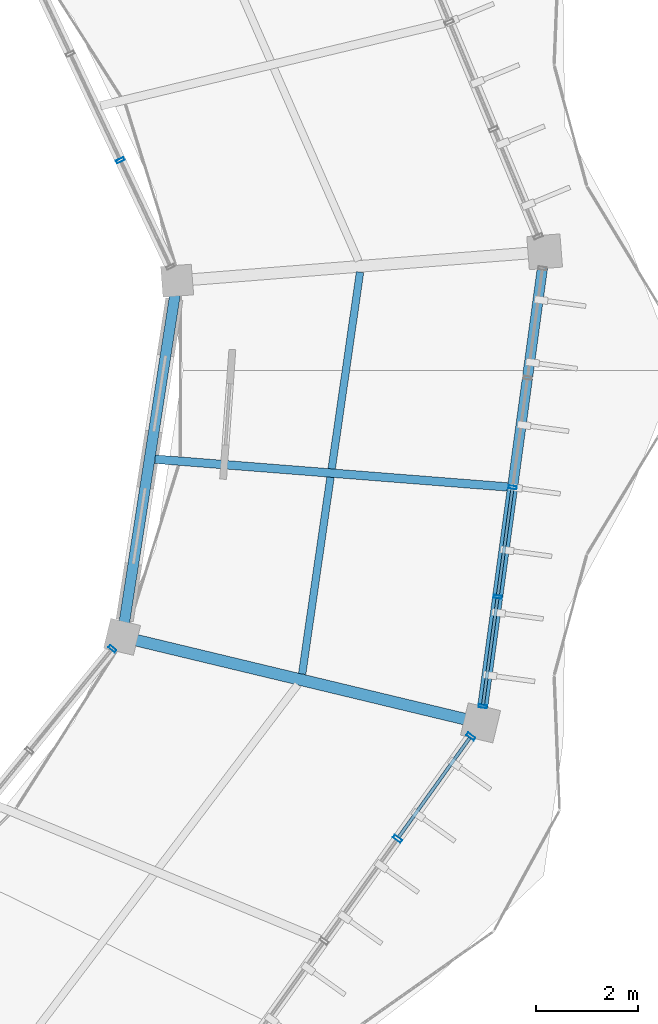
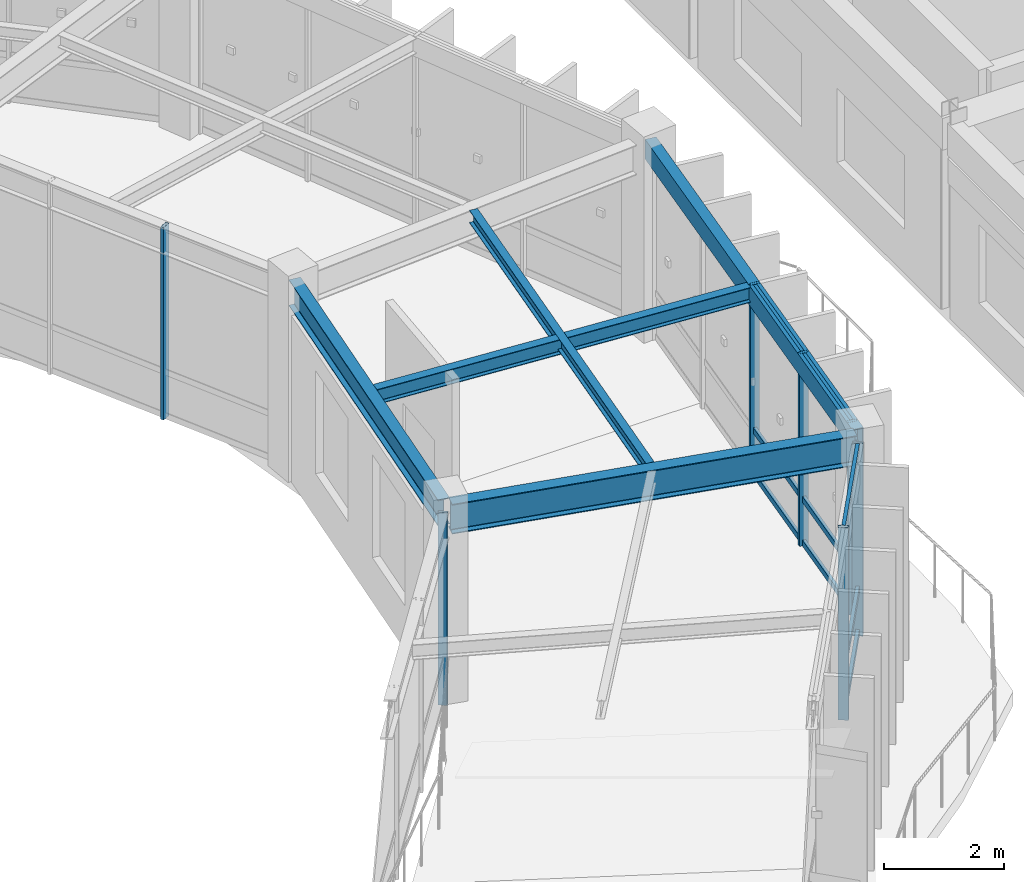
# One storey, part 76 of 114: 16 members, 5 beams, 4 elements without a shape of their own.
"""IFC4 building model written with IfcOpenShell, lengths in metres."""

from ifc_helpers import new_model, si_unit, direction, frame, origin, origin_2d, place, context, subcontext, project, spatial, hollow_rectangle, i_section, extrude, material, material_profile, profile_set, type_object, element, aggregate, save


model = new_model("IFC4")

# Units and contexts
model_context = context("Model", 3, precision=1e-05, world=origin(), true_north=direction((0.0, 1.0)))
body_context = subcontext(model_context, "Body", "Model", "MODEL_VIEW")
ifc_project = project(units=[si_unit("LENGTHUNIT", "METRE"), si_unit("AREAUNIT", "SQUARE_METRE"), si_unit("VOLUMEUNIT", "CUBIC_METRE"), si_unit("PLANEANGLEUNIT", "RADIAN"), si_unit("MASSUNIT", "GRAM", prefix="KILO"), si_unit("THERMODYNAMICTEMPERATUREUNIT", "KELVIN"), si_unit("POWERUNIT", "WATT")], contexts=[model_context])

# Site, building, storey
site_placement = place(None, origin())
site = spatial("IfcSite", under=ifc_project, at=site_placement, CompositionType="ELEMENT")
building_placement = place(site_placement, origin())
building = spatial("IfcBuilding", under=site, at=building_placement, Name="Darbajah Civic Hall", CompositionType="ELEMENT")
storey_placement = place(building_placement, frame((0.0, 0.0, 13.800048828125)))
storey = spatial("IfcBuildingStorey", under=building, at=storey_placement, Name="L03", CompositionType="ELEMENT", Elevation=13.800048828125)

# Curtain wall, member
ifc_material_1 = material(Name="Anodised Bronze Aluminium and Low-E Glazing", Category="aluminium")
curtain_wall_type_1 = type_object("IfcCurtainWallType", Name="Unitised Curtain Wall CW-55 6900x3900", PredefinedType="USERDEFINED", material=ifc_material_1)
curtain_wall_1_placement = place(storey_placement, origin())
curtain_wall_1 = element("IfcCurtainWall", 1, at=curtain_wall_1_placement, inside=storey, type_object=curtain_wall_type_1, Name="L03 unitised curtain wall CW-V1I-L03-00", ObjectType="UNITISED CURTAIN WALL", PredefinedType="USERDEFINED")
ifc_material_2 = material(Name="Anodised Bronze Aluminium", Category="aluminium")
ifc_material_profile_1 = material_profile(ifc_material_2, hollow_rectangle(XDim=0.06005859375, YDim=0.159912109375, WallThickness=0.00341796875, at=origin_2d()), Name="ALU MULLION 60x160")
ifc_profile_set_1 = profile_set([ifc_material_profile_1], Name="Anodised Bronze Aluminium")
member_type_1 = type_object("IfcMemberType", Name="ALU MULLION 60x160", PredefinedType="MULLION", material=ifc_profile_set_1)
member_1_placement = place(storey_placement, frame((131.65576171875, 93.902099609375, 0.0), z_axis=(0.0, 0.0, 1.0), x_axis=(-0.426568739901, 0.904455145454, 0.0)))
member_1 = element("IfcMember", 2, at=member_1_placement, type_object=member_type_1, Name="CW-V1I-L03-00 mullion 2", PredefinedType="MULLION", context=body_context, shape_type="SweptSolid", body=[
    extrude(hollow_rectangle(XDim=0.06005859375, YDim=0.159912109375, WallThickness=0.00341796875, at=origin_2d()), origin(), (0.0, 0.0, 1.0), 3.919921875),
])
aggregate(curtain_wall_1, [member_1])

curtain_wall_type_2 = type_object("IfcCurtainWallType", Name="Unitised Curtain Wall CW-52 7700x3900", PredefinedType="USERDEFINED", material=ifc_material_1)
curtain_wall_2_placement = place(storey_placement, origin())
curtain_wall_2 = element("IfcCurtainWall", 3, at=curtain_wall_2_placement, inside=storey, type_object=curtain_wall_type_2, Name="L03 unitised curtain wall CW-V1I-L03-18", ObjectType="UNITISED CURTAIN WALL", PredefinedType="USERDEFINED")
member_2_placement = place(storey_placement, frame((131.499267578125, 84.35986328125, 0.0), z_axis=(0.0, 0.0, 1.0), x_axis=(0.63108205791, 0.775716079622, 0.0)))
member_2 = element("IfcMember", 4, at=member_2_placement, type_object=member_type_1, Name="CW-V1I-L03-18 mullion 4", PredefinedType="MULLION", context=body_context, shape_type="SweptSolid", body=[
    extrude(hollow_rectangle(XDim=0.06005859375, YDim=0.159912109375, WallThickness=0.00341796875, at=origin_2d()), origin(), (0.0, 0.0, 1.0), 3.919921875),
])
aggregate(curtain_wall_2, [member_2])

# Curtain wall, members
curtain_wall_type_3 = type_object("IfcCurtainWallType", Name="Unitised Curtain Wall CW-53 8600x3900", PredefinedType="USERDEFINED", material=ifc_material_1)
curtain_wall_3_placement = place(storey_placement, origin())
curtain_wall_3 = element("IfcCurtainWall", 5, at=curtain_wall_3_placement, inside=storey, type_object=curtain_wall_type_3, Name="L03 unitised curtain wall CW-V1O-L03-19", ObjectType="UNITISED CURTAIN WALL", PredefinedType="USERDEFINED")
member_3_placement = place(storey_placement, frame((138.735107421875, 83.2373046875, 0.0), z_axis=(0.0, 0.0, 1.0), x_axis=(0.134850930274, 0.990865897387, 0.0)))
member_3 = element("IfcMember", 6, at=member_3_placement, type_object=member_type_1, Name="CW-V1O-L03-19 mullion 1", PredefinedType="MULLION", context=body_context, shape_type="SweptSolid", body=[
    extrude(hollow_rectangle(XDim=0.06005859375, YDim=0.159912109375, WallThickness=0.00341796875, at=origin_2d()), origin(), (0.0, 0.0, 1.0), 3.919921875),
])
member_4_placement = place(storey_placement, frame((139.02587890625, 85.375732421875, 0.0), z_axis=(0.0, 0.0, 1.0), x_axis=(0.134850930274, 0.990865897387, 0.0)))
member_4 = element("IfcMember", 7, at=member_4_placement, type_object=member_type_1, Name="CW-V1O-L03-19 mullion 2", PredefinedType="MULLION", context=body_context, shape_type="SweptSolid", body=[
    extrude(hollow_rectangle(XDim=0.06005859375, YDim=0.159912109375, WallThickness=0.00341796875, at=origin_2d()), origin(), (0.0, 0.0, 1.0), 3.919921875),
])
member_5_placement = place(storey_placement, frame((139.31689453125, 87.513916015625, 0.0), z_axis=(0.0, 0.0, 1.0), x_axis=(0.134850930274, 0.990865897387, 0.0)))
member_5 = element("IfcMember", 8, at=member_5_placement, type_object=member_type_1, Name="CW-V1O-L03-19 mullion 3", PredefinedType="MULLION", context=body_context, shape_type="SweptSolid", body=[
    extrude(hollow_rectangle(XDim=0.06005859375, YDim=0.159912109375, WallThickness=0.00341796875, at=origin_2d()), origin(), (0.0, 0.0, 1.0), 3.919921875),
])

curtain_wall_type_4 = type_object("IfcCurtainWallType", Name="Unitised Curtain Wall CW-51 9800x3900", PredefinedType="USERDEFINED", material=ifc_material_1)
curtain_wall_4_placement = place(storey_placement, origin())
curtain_wall_4 = element("IfcCurtainWall", 9, at=curtain_wall_4_placement, inside=storey, type_object=curtain_wall_type_4, Name="L03 unitised curtain wall CW-V1O-L03-18", ObjectType="UNITISED CURTAIN WALL", PredefinedType="USERDEFINED")
ifc_material_profile_2 = material_profile(ifc_material_2, hollow_rectangle(XDim=0.06494140625, YDim=0.179931640625, WallThickness=0.00390625, at=origin_2d()), Name="ALU MULLION 65x180")
ifc_profile_set_2 = profile_set([ifc_material_profile_2], Name="Anodised Bronze Aluminium")
member_type_2 = type_object("IfcMemberType", Name="ALU MULLION 65x180", PredefinedType="MULLION", material=ifc_profile_set_2)
member_6_placement = place(storey_placement, frame((137.069091796875, 80.648681640625, 0.0), z_axis=(0.0, 0.0, 1.0), x_axis=(0.582264874145, 0.812999149039, 0.0)))
member_6 = element("IfcMember", 10, at=member_6_placement, type_object=member_type_2, Name="CW-V1O-L03-18 mullion 4", PredefinedType="MULLION", context=body_context, shape_type="SweptSolid", body=[
    extrude(hollow_rectangle(XDim=0.06494140625, YDim=0.179931640625, WallThickness=0.00390625, at=origin_2d()), origin(), (0.0, 0.0, 1.0), 3.919921875),
])
member_7_placement = place(storey_placement, frame((138.50048828125, 82.6474609375, 0.0), z_axis=(0.0, 0.0, 1.0), x_axis=(0.582264874145, 0.812999149039, 0.0)))
member_7 = element("IfcMember", 11, at=member_7_placement, type_object=member_type_2, Name="CW-V1O-L03-18 mullion 5", PredefinedType="MULLION", context=body_context, shape_type="SweptSolid", body=[
    extrude(hollow_rectangle(XDim=0.06494140625, YDim=0.179931640625, WallThickness=0.00390625, at=origin_2d()), origin(), (0.0, 0.0, 1.0), 3.919921875),
])

# Member
ifc_material_profile_3 = material_profile(ifc_material_2, hollow_rectangle(XDim=0.06005859375, YDim=0.1201171875, WallThickness=0.003173828125, at=origin_2d()), Name="ALU TRANSOM 60x120")
ifc_profile_set_3 = profile_set([ifc_material_profile_3], Name="Anodised Bronze Aluminium")
member_type_3 = type_object("IfcMemberType", Name="ALU TRANSOM 60x120", PredefinedType="USERDEFINED", material=ifc_profile_set_3)
member_8_placement = place(storey_placement, frame((138.73974609375, 83.272216796875, 0.06005859375), z_axis=(0.134820990929, 0.990869971492, 0.0), x_axis=(-0.990869971492, 0.134820990929, 0.0)))
member_8 = element("IfcMember", 12, at=member_8_placement, type_object=member_type_3, Name="CW-V1O-L03-19 transom 1.1", ObjectType="TRANSOM", PredefinedType="USERDEFINED", context=body_context, shape_type="SweptSolid", body=[
    extrude(hollow_rectangle(XDim=0.06005859375, YDim=0.1201171875, WallThickness=0.003173828125, at=origin_2d()), origin(), (0.0, 0.0, 1.0), 2.087890625),
])

member_9_placement = place(storey_placement, frame((138.73974609375, 83.272216796875, 0.949951171875), z_axis=(0.134820990929, 0.990869971492, 0.0), x_axis=(-0.990869971492, 0.134820990929, 0.0)))
member_9 = element("IfcMember", 13, at=member_9_placement, type_object=member_type_3, Name="CW-V1O-L03-19 transom 1.2", ObjectType="TRANSOM", PredefinedType="USERDEFINED", context=body_context, shape_type="SweptSolid", body=[
    extrude(hollow_rectangle(XDim=0.06005859375, YDim=0.1201171875, WallThickness=0.003173828125, at=origin_2d()), origin(), (0.0, 0.0, 1.0), 2.087890625),
])

member_10_placement = place(storey_placement, frame((138.73974609375, 83.272216796875, 3.85986328125), z_axis=(0.134820990929, 0.990869971492, 0.0), x_axis=(-0.990869971492, 0.134820990929, 0.0)))
member_10 = element("IfcMember", 14, at=member_10_placement, type_object=member_type_3, Name="CW-V1O-L03-19 transom 1.3", ObjectType="TRANSOM", PredefinedType="USERDEFINED", context=body_context, shape_type="SweptSolid", body=[
    extrude(hollow_rectangle(XDim=0.06005859375, YDim=0.1201171875, WallThickness=0.003173828125, at=origin_2d()), origin(), (0.0, 0.0, 1.0), 2.087890625),
])

member_11_placement = place(storey_placement, frame((139.030517578125, 85.410400390625, 0.06005859375), z_axis=(0.134820990929, 0.990869971492, 0.0), x_axis=(-0.990869971492, 0.134820990929, 0.0)))
member_11 = element("IfcMember", 15, at=member_11_placement, type_object=member_type_3, Name="CW-V1O-L03-19 transom 2.1", ObjectType="TRANSOM", PredefinedType="USERDEFINED", context=body_context, shape_type="SweptSolid", body=[
    extrude(hollow_rectangle(XDim=0.06005859375, YDim=0.1201171875, WallThickness=0.003173828125, at=origin_2d()), origin(), (0.0, 0.0, 1.0), 2.087890625),
])

member_12_placement = place(storey_placement, frame((139.030517578125, 85.410400390625, 0.949951171875), z_axis=(0.134820990929, 0.990869971492, 0.0), x_axis=(-0.990869971492, 0.134820990929, 0.0)))
member_12 = element("IfcMember", 16, at=member_12_placement, type_object=member_type_3, Name="CW-V1O-L03-19 transom 2.2", ObjectType="TRANSOM", PredefinedType="USERDEFINED", context=body_context, shape_type="SweptSolid", body=[
    extrude(hollow_rectangle(XDim=0.06005859375, YDim=0.1201171875, WallThickness=0.003173828125, at=origin_2d()), origin(), (0.0, 0.0, 1.0), 2.087890625),
])

member_13_placement = place(storey_placement, frame((139.030517578125, 85.410400390625, 3.85986328125), z_axis=(0.134820990929, 0.990869971492, 0.0), x_axis=(-0.990869971492, 0.134820990929, 0.0)))
member_13 = element("IfcMember", 17, at=member_13_placement, type_object=member_type_3, Name="CW-V1O-L03-19 transom 2.3", ObjectType="TRANSOM", PredefinedType="USERDEFINED", context=body_context, shape_type="SweptSolid", body=[
    extrude(hollow_rectangle(XDim=0.06005859375, YDim=0.1201171875, WallThickness=0.003173828125, at=origin_2d()), origin(), (0.0, 0.0, 1.0), 2.087890625),
])

aggregate(curtain_wall_3, [member_3, member_4, member_5, member_8, member_9, member_10, member_11, member_12, member_13])

ifc_material_profile_4 = material_profile(ifc_material_2, hollow_rectangle(XDim=0.06494140625, YDim=0.139892578125, WallThickness=0.00341796875, at=origin_2d()), Name="ALU TRANSOM 65x140")
ifc_profile_set_4 = profile_set([ifc_material_profile_4], Name="Anodised Bronze Aluminium")
member_type_4 = type_object("IfcMemberType", Name="ALU TRANSOM 65x140", PredefinedType="USERDEFINED", material=ifc_profile_set_4)
member_14_placement = place(storey_placement, frame((137.091064453125, 80.67919921875, 0.070068359375), z_axis=(0.582235797535, 0.813019972737, 0.0), x_axis=(-0.813019972737, 0.582235797535, 0.0)))
member_14 = element("IfcMember", 18, at=member_14_placement, type_object=member_type_4, Name="CW-V1O-L03-18 transom 4.1", ObjectType="TRANSOM", PredefinedType="USERDEFINED", context=body_context, shape_type="SweptSolid", body=[
    extrude(hollow_rectangle(XDim=0.06494140625, YDim=0.139892578125, WallThickness=0.00341796875, at=origin_2d()), origin(), (0.0, 0.0, 1.0), 2.38330078125),
])

member_15_placement = place(storey_placement, frame((137.091064453125, 80.67919921875, 0.949951171875), z_axis=(0.582235797535, 0.813019972737, 0.0), x_axis=(-0.813019972737, 0.582235797535, 0.0)))
member_15 = element("IfcMember", 19, at=member_15_placement, type_object=member_type_4, Name="CW-V1O-L03-18 transom 4.2", ObjectType="TRANSOM", PredefinedType="USERDEFINED", context=body_context, shape_type="SweptSolid", body=[
    extrude(hollow_rectangle(XDim=0.06494140625, YDim=0.139892578125, WallThickness=0.00341796875, at=origin_2d()), origin(), (0.0, 0.0, 1.0), 2.38330078125),
])

member_16_placement = place(storey_placement, frame((137.091064453125, 80.67919921875, 3.849853515625), z_axis=(0.582235797535, 0.813019972737, 0.0), x_axis=(-0.813019972737, 0.582235797535, 0.0)))
member_16 = element("IfcMember", 20, at=member_16_placement, type_object=member_type_4, Name="CW-V1O-L03-18 transom 4.3", ObjectType="TRANSOM", PredefinedType="USERDEFINED", context=body_context, shape_type="SweptSolid", body=[
    extrude(hollow_rectangle(XDim=0.06494140625, YDim=0.139892578125, WallThickness=0.00341796875, at=origin_2d()), origin(), (0.0, 0.0, 1.0), 2.38330078125),
])

aggregate(curtain_wall_4, [member_6, member_7, member_14, member_15, member_16])

# Beams
ifc_material_3 = material(Name="Steel S355JR", Category="steel")
ifc_material_profile_5 = material_profile(ifc_material_3, hollow_rectangle(XDim=0.199951171875, YDim=0.39990234375, WallThickness=0.013916015625, at=origin_2d()), Name="RHS 400x200x14")
ifc_profile_set_5 = profile_set([ifc_material_profile_5], Name="Steel S355JR")
beam_type_1 = type_object("IfcBeamType", Name="RHS 400x200x14", PredefinedType="SPANDREL", material=ifc_profile_set_5)
beam_1_placement = place(storey_placement, frame((138.70166015625, 82.99267578125, 3.719970703125), z_axis=(0.134807575565, 0.990871796738, 0.0), x_axis=(-0.990871796738, 0.134807575565, 0.0)))
element("IfcBeam", 21, at=beam_1_placement, inside=storey, type_object=beam_type_1, Name="L03 beam SP-RHS400", PredefinedType="SPANDREL", context=body_context, shape_type="SweptSolid", body=[
    extrude(hollow_rectangle(XDim=0.199951171875, YDim=0.39990234375, WallThickness=0.013916015625, at=origin_2d()), origin(), (0.0, 0.0, 1.0), 9.125732421875),
])
ifc_material_profile_6 = material_profile(ifc_material_3, i_section(OverallWidth=0.146484375, OverallDepth=0.256103515625, WebThickness=0.00634765625, FlangeThickness=0.010986328125, FilletRadius=0.007568359375, at=origin_2d()), Name="UB 254x146x37")
ifc_profile_set_6 = profile_set([ifc_material_profile_6], Name="Steel S355JR")
beam_type_2 = type_object("IfcBeamType", Name="UB 254x146x37", PredefinedType="JOIST", material=ifc_profile_set_6)
beam_2_placement = place(storey_placement, frame((135.206787109375, 83.86865234375, 3.7919921875), z_axis=(0.142580747671, 0.989783173424, 0.0), x_axis=(-0.989783173424, 0.142580747671, 0.0)))
element("IfcBeam", 22, at=beam_2_placement, inside=storey, type_object=beam_type_2, Name="L03 beam SJ-254", PredefinedType="JOIST", context=body_context, shape_type="SweptSolid", body=[
    extrude(i_section(OverallWidth=0.146484375, OverallDepth=0.256103515625, WebThickness=0.00634765625, FlangeThickness=0.010986328125, FilletRadius=0.007568359375, at=origin_2d()), origin(), (0.0, 0.0, 1.0), 7.9296875),
])
ifc_material_profile_7 = material_profile(ifc_material_3, i_section(OverallWidth=0.165771484375, OverallDepth=0.306640625, WebThickness=0.006591796875, FlangeThickness=0.01171875, FilletRadius=0.0087890625, at=origin_2d()), Name="UB 305x165x46")
ifc_profile_set_7 = profile_set([ifc_material_profile_7], Name="Steel S355JR")
beam_type_3 = type_object("IfcBeamType", Name="UB 305x165x46", PredefinedType="JOIST", material=ifc_profile_set_7)
beam_3_placement = place(storey_placement, frame((132.3330078125, 88.063720703125, 3.7666015625), z_axis=(0.996916012499, -0.078475881788, 0.0), x_axis=(0.078475881788, 0.996916012499, 0.0)))
element("IfcBeam", 23, at=beam_3_placement, inside=storey, type_object=beam_type_3, Name="L03 beam SJ-305", PredefinedType="JOIST", context=body_context, shape_type="SweptSolid", body=[
    extrude(i_section(OverallWidth=0.165771484375, OverallDepth=0.306640625, WebThickness=0.006591796875, FlangeThickness=0.01171875, FilletRadius=0.0087890625, at=origin_2d()), origin(), (0.0, 0.0, 1.0), 6.9033203125),
])
ifc_material_profile_8 = material_profile(ifc_material_3, i_section(OverallWidth=0.209228515625, OverallDepth=0.533203125, WebThickness=0.010009765625, FlangeThickness=0.015625, FilletRadius=0.0126953125, at=origin_2d()), Name="UB 533x210x92")
ifc_profile_set_8 = profile_set([ifc_material_profile_8], Name="Steel S355JR")
beam_type_4 = type_object("IfcBeamType", Name="UB 533x210x92", PredefinedType="BEAM", material=ifc_profile_set_8)
beam_4_placement = place(storey_placement, frame((131.701904296875, 84.67333984375, 3.653564453125), z_axis=(0.152777334871, 0.988260636649, 0.0), x_axis=(-0.988260636649, 0.152777334871, 0.0)))
element("IfcBeam", 24, at=beam_4_placement, inside=storey, type_object=beam_type_4, Name="L03 beam SB-533", PredefinedType="BEAM", context=body_context, shape_type="SweptSolid", body=[
    extrude(i_section(OverallWidth=0.209228515625, OverallDepth=0.533203125, WebThickness=0.010009765625, FlangeThickness=0.015625, FilletRadius=0.0126953125, at=origin_2d()), origin(), (0.0, 0.0, 1.0), 6.8779296875),
])
ifc_material_profile_9 = material_profile(ifc_material_3, i_section(OverallWidth=0.228271484375, OverallDepth=0.607666015625, WebThickness=0.010986328125, FlangeThickness=0.017333984375, FilletRadius=0.0126953125, at=origin_2d()), Name="UB 610x229x113")
ifc_profile_set_9 = profile_set([ifc_material_profile_9], Name="Steel S355JR")
beam_type_5 = type_object("IfcBeamType", Name="UB 610x229x113", PredefinedType="BEAM", material=ifc_profile_set_9)
beam_5_placement = place(storey_placement, frame((131.767578125, 84.575439453125, 3.6162109375), z_axis=(0.972374394108, -0.233426728726, 0.0), x_axis=(0.233426728726, 0.972374394108, 0.0)))
element("IfcBeam", 25, at=beam_5_placement, inside=storey, type_object=beam_type_5, Name="L03 beam SB-610", PredefinedType="BEAM", context=body_context, shape_type="SweptSolid", body=[
    extrude(i_section(OverallWidth=0.228271484375, OverallDepth=0.607666015625, WebThickness=0.010986328125, FlangeThickness=0.017333984375, FilletRadius=0.0126953125, at=origin_2d()), origin(), (0.0, 0.0, 1.0), 7.0400390625),
])

save(model, "model.ifc")
